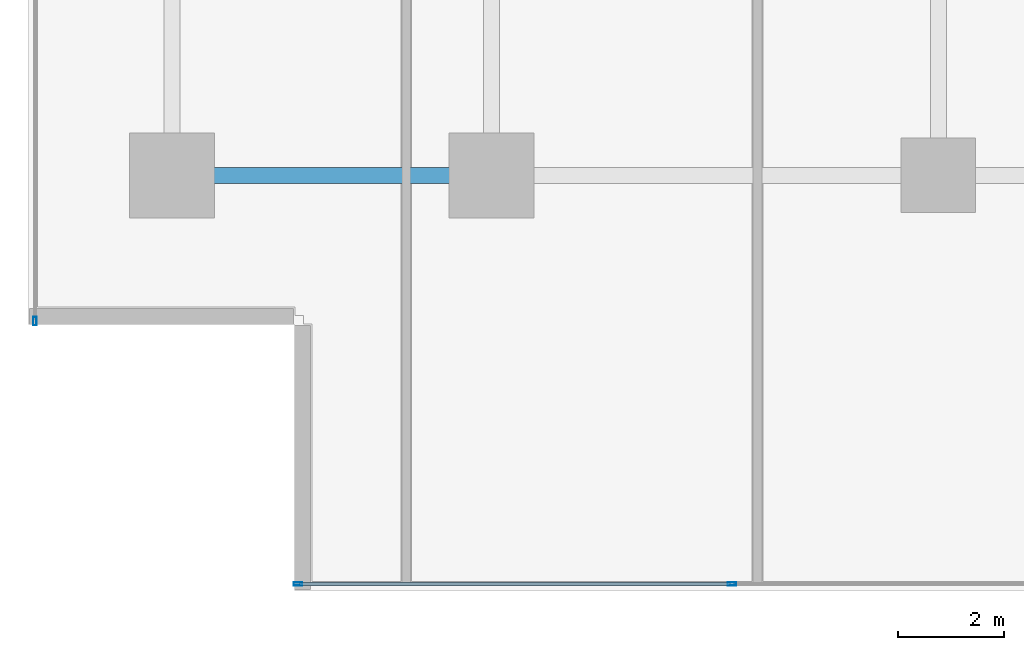
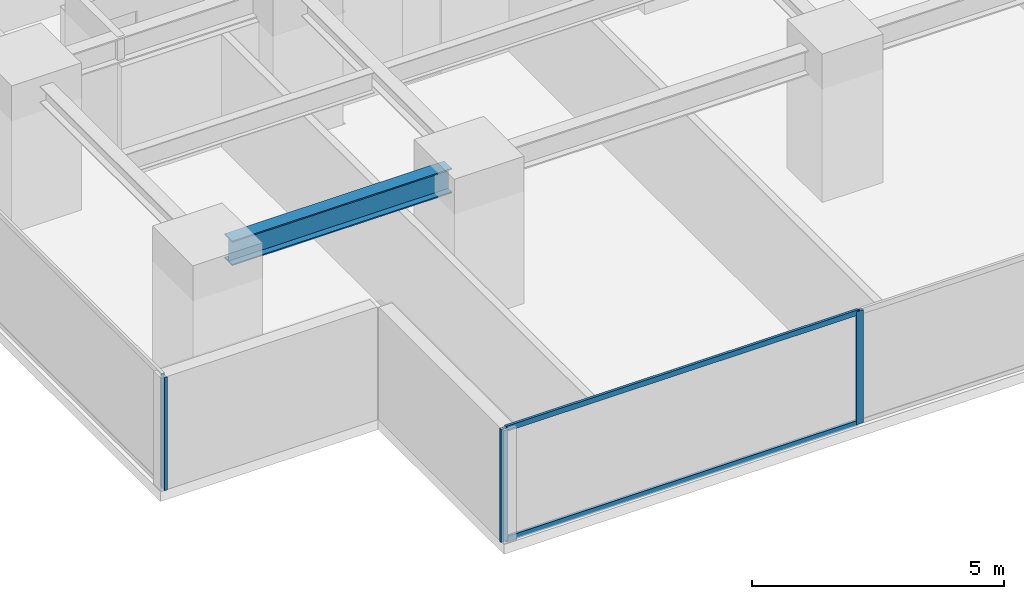
# One storey, part 2 of 37: 5 members, 1 beam, 2 elements without a shape of their own.
"""IFC4 building model written with IfcOpenShell, lengths in metres."""

from ifc_helpers import new_model, si_unit, direction, frame, origin, origin_2d, place, context, subcontext, project, spatial, hollow_rectangle, i_section, extrude, source, transform, mapped, material, layer, layer_set, material_profile, profile_set, type_object, element, aggregate, save


model = new_model("IFC4")

# Units and contexts
model_context = context("Model", 3, precision=1e-05, world=origin(), true_north=direction((0.0, 1.0)))
body_context = subcontext(model_context, "Body", "Model", "MODEL_VIEW")
ifc_project = project(units=[si_unit("LENGTHUNIT", "METRE"), si_unit("AREAUNIT", "SQUARE_METRE"), si_unit("VOLUMEUNIT", "CUBIC_METRE"), si_unit("PLANEANGLEUNIT", "RADIAN"), si_unit("MASSUNIT", "GRAM", prefix="KILO")], contexts=[model_context])

# Site, building, storey
site_placement = place(None, origin())
site = spatial("IfcSite", under=ifc_project, at=site_placement, CompositionType="ELEMENT")
building_placement = place(site_placement, origin())
building = spatial("IfcBuilding", under=site, at=building_placement, Name="Sumidabori Civic Tower", CompositionType="ELEMENT")
storey_placement = place(building_placement, frame((0.0, 0.0, 110.0)))
storey = spatial("IfcBuildingStorey", under=building, at=storey_placement, Name="L28", CompositionType="ELEMENT", Elevation=110.0)

# Beam
ifc_material_1 = material(Name="Steel SN490", Category="steel")
ifc_material_profile_1 = material_profile(ifc_material_1, i_section(OverallWidth=0.300048828125, OverallDepth=0.60009765625, WebThickness=0.015380859375, FlangeThickness=0.030029296875, at=origin_2d()), Name="HE 600 B")
ifc_profile_set_1 = profile_set([ifc_material_profile_1], Name="Steel SN490")
beam_type = type_object("IfcBeamType", Name="BM-GIRD-600", PredefinedType="BEAM", material=ifc_profile_set_1)
shared_shape_1 = source(origin(), body_context, "Body", "SweptSolid", [
    extrude(i_section(OverallWidth=0.300048828125, OverallDepth=0.60009765625, WebThickness=0.015380859375, FlangeThickness=0.030029296875, at=origin_2d()), origin(), (0.0, 0.0, 1.0), 5.0400390625),
])
beam_placement = place(storey_placement, frame((-22.320068359375, -18.0, 3.06005859375), z_axis=(1.0, 0.0, 0.0), x_axis=(0.0, 1.0, 0.0)))
element("IfcBeam", 1, at=beam_placement, inside=storey, type_object=beam_type, Name="Primary Girder L28 GX-01", PredefinedType="BEAM", context=body_context, shape_type="MappedRepresentation", body=[
    mapped(shared_shape_1, transform((0.0, 0.0, 0.0), x_axis=(1.0, 0.0, 0.0), y_axis=(0.0, 1.0, 0.0), z_axis=(0.0, 0.0, 1.0), scale=1.0)),
])

# Curtain wall, members
ifc_material_2 = material(Name="Anodised Bronze Aluminium AW-6063-T6", Category="aluminium")
ifc_layer = layer(ifc_material_2, 0.179931640625, Name="Anodised Bronze Aluminium AW-6063-T6")
ifc_layer_set = layer_set([ifc_layer], Name="Anodised Bronze Aluminium AW-6063-T6")
curtain_wall_type = type_object("IfcCurtainWallType", Name="CW-SYS-3", PredefinedType="NOTDEFINED", material=ifc_layer_set)
curtain_wall_1_placement = place(storey_placement, origin())
curtain_wall_1 = element("IfcCurtainWall", 2, at=curtain_wall_1_placement, inside=storey, type_object=curtain_wall_type, Name="Curtain Wall CW:L28:R01", PredefinedType="NOTDEFINED")
ifc_material_profile_2 = material_profile(ifc_material_2, hollow_rectangle(XDim=0.06494140625, YDim=0.159912109375, WallThickness=0.0048828125, at=origin_2d()), Name="ALU MULLION 160x65")
ifc_profile_set_2 = profile_set([ifc_material_profile_2], Name="Anodised Bronze Aluminium AW-6063-T6")
member_type_1 = type_object("IfcMemberType", Name="CW-MUL-160", PredefinedType="MULLION", material=ifc_profile_set_2)
shared_shape_2 = source(origin(), body_context, "Body", "SweptSolid", [
    extrude(hollow_rectangle(XDim=0.06494140625, YDim=0.159912109375, WallThickness=0.0048828125, at=origin_2d()), origin(), (0.0, 0.0, 1.0), 2.739990234375),
])
member_1_placement = place(storey_placement, frame((-20.4375, -25.679931640625, 0.0), z_axis=(0.0, 0.0, 1.0), x_axis=(0.0, 1.0, 0.0)))
member_1 = element("IfcMember", 3, at=member_1_placement, type_object=member_type_1, Name="CW-3 mullion 1", PredefinedType="MULLION", context=body_context, shape_type="MappedRepresentation", body=[
    mapped(shared_shape_2, transform((0.0, 0.0, 0.0), x_axis=(1.0, 0.0, 0.0), y_axis=(0.0, 1.0, 0.0), z_axis=(0.0, 0.0, 1.0), scale=1.0)),
])
member_2_placement = place(storey_placement, frame((-12.281982421875, -25.679931640625, 0.0), z_axis=(0.0, 0.0, 1.0), x_axis=(0.0, 1.0, 0.0)))
member_2 = element("IfcMember", 4, at=member_2_placement, type_object=member_type_1, Name="CW-3 mullion 2", PredefinedType="MULLION", context=body_context, shape_type="MappedRepresentation", body=[
    mapped(shared_shape_2, transform((0.0, 0.0, 0.0), x_axis=(1.0, 0.0, 0.0), y_axis=(0.0, 1.0, 0.0), z_axis=(0.0, 0.0, 1.0), scale=1.0)),
])

# Curtain wall, member
curtain_wall_2_placement = place(storey_placement, origin())
curtain_wall_2 = element("IfcCurtainWall", 5, at=curtain_wall_2_placement, inside=storey, type_object=curtain_wall_type, Name="Curtain Wall CW:L28:R10", PredefinedType="NOTDEFINED")
member_3_placement = place(storey_placement, frame((-25.3798828125, -20.737548828125, 0.0), z_axis=(0.0, 0.0, 1.0), x_axis=(1.0, 0.0, 0.0)))
member_3 = element("IfcMember", 6, at=member_3_placement, type_object=member_type_1, Name="CW-3 mullion 6", PredefinedType="MULLION", context=body_context, shape_type="MappedRepresentation", body=[
    mapped(shared_shape_2, transform((0.0, 0.0, 0.0), x_axis=(1.0, 0.0, 0.0), y_axis=(0.0, 1.0, 0.0), z_axis=(0.0, 0.0, 1.0), scale=1.0)),
])
aggregate(curtain_wall_2, [member_3])

# Member
ifc_material_profile_3 = material_profile(ifc_material_2, hollow_rectangle(XDim=0.06005859375, YDim=0.1298828125, WallThickness=0.0048828125, at=origin_2d()), Name="ALU TRANSOM 130x60")
ifc_profile_set_3 = profile_set([ifc_material_profile_3], Name="Anodised Bronze Aluminium AW-6063-T6")
member_type_2 = type_object("IfcMemberType", Name="CW-TRN-130", PredefinedType="USERDEFINED", material=ifc_profile_set_3)
shared_shape_3 = source(origin(), body_context, "Body", "SweptSolid", [
    extrude(hollow_rectangle(XDim=0.06005859375, YDim=0.1298828125, WallThickness=0.0048828125, at=origin_2d()), origin(), (0.0, 0.0, 1.0), 8.090576171875),
])
member_4_placement = place(storey_placement, frame((-20.405029296875, -25.679931640625, 0.030029296875), z_axis=(1.0, 0.0, 0.0), x_axis=(0.0, 1.0, 0.0)))
member_4 = element("IfcMember", 7, at=member_4_placement, type_object=member_type_2, Name="CW-3 transom 1.1", ObjectType="TRANSOM", PredefinedType="USERDEFINED", context=body_context, shape_type="MappedRepresentation", body=[
    mapped(shared_shape_3, transform((0.0, 0.0, 0.0), x_axis=(1.0, 0.0, 0.0), y_axis=(0.0, 1.0, 0.0), z_axis=(0.0, 0.0, 1.0), scale=1.0)),
])

member_5_placement = place(storey_placement, frame((-20.405029296875, -25.679931640625, 2.7099609375), z_axis=(1.0, 0.0, 0.0), x_axis=(0.0, 1.0, 0.0)))
member_5 = element("IfcMember", 8, at=member_5_placement, type_object=member_type_2, Name="CW-3 transom 1.2", ObjectType="TRANSOM", PredefinedType="USERDEFINED", context=body_context, shape_type="MappedRepresentation", body=[
    mapped(shared_shape_3, transform((0.0, 0.0, 0.0), x_axis=(1.0, 0.0, 0.0), y_axis=(0.0, 1.0, 0.0), z_axis=(0.0, 0.0, 1.0), scale=1.0)),
])

aggregate(curtain_wall_1, [member_1, member_2, member_4, member_5])

save(model, "model.ifc")
